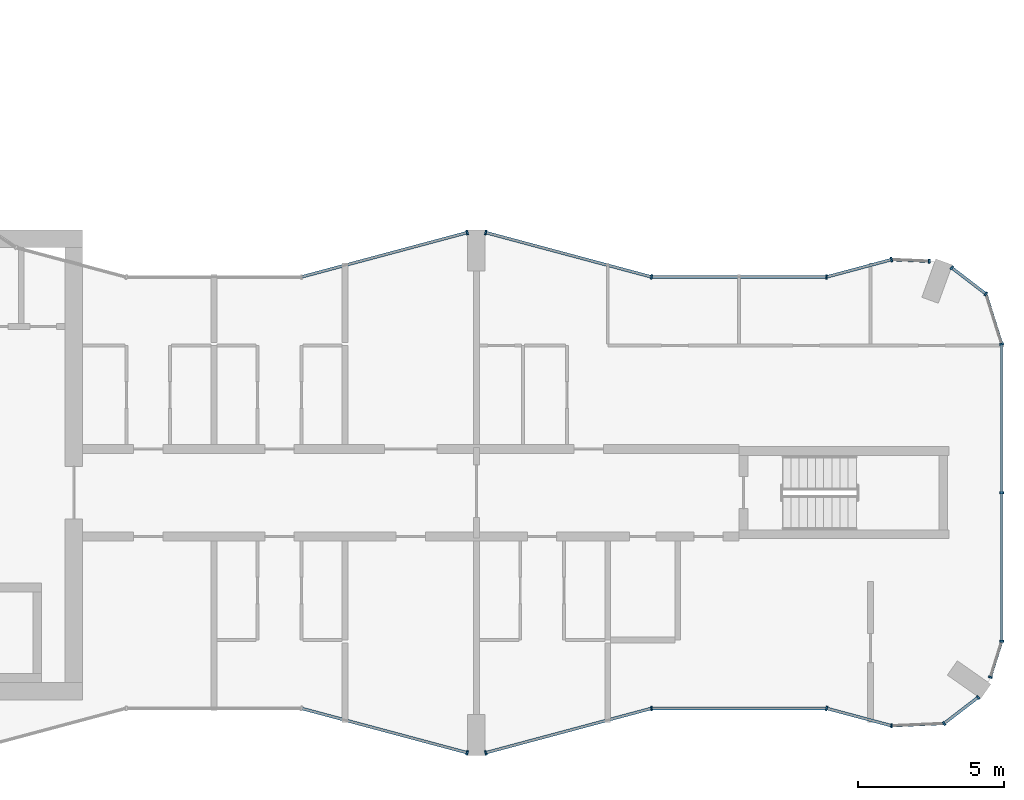
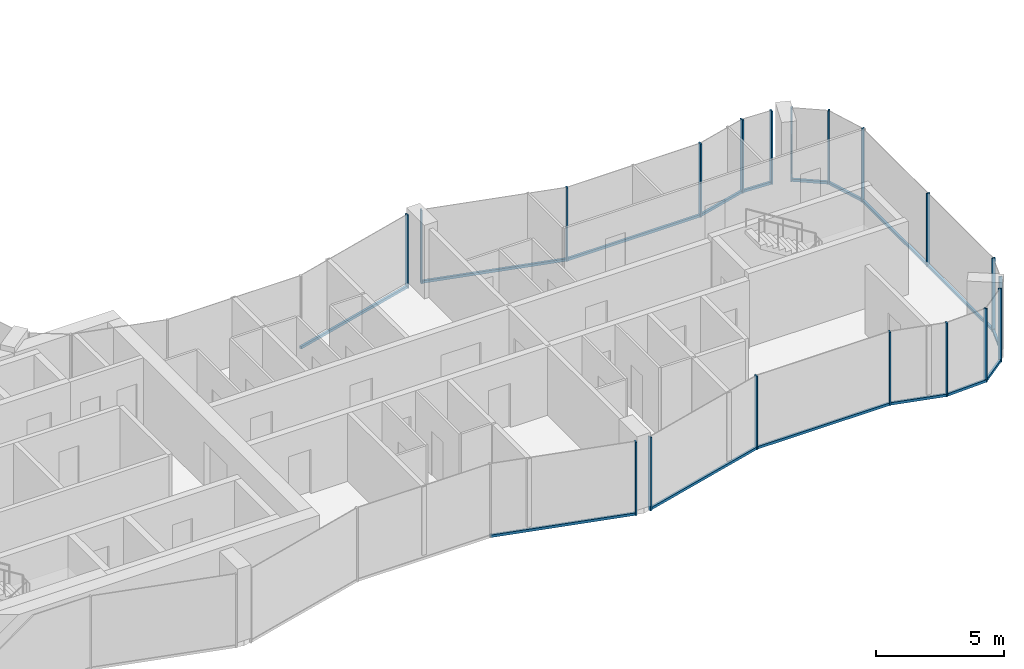
# One storey, part 6 of 16: 34 members, 15 elements without a shape of their own.
"""IFC4 building model written with IfcOpenShell, lengths in metres."""

from ifc_helpers import new_model, si_unit, direction, frame, origin, origin_2d, place, context, subcontext, project, spatial, rectangle, extrude, material, layer, layer_set, material_profile, profile_set, type_object, element, aggregate, save


model = new_model("IFC4")

# Units and contexts
model_context = context("Model", 3, precision=1e-05, world=origin(), true_north=direction((0.0, 1.0)))
body_context = subcontext(model_context, "Body", "Model", "MODEL_VIEW")
ifc_project = project(units=[si_unit("LENGTHUNIT", "METRE"), si_unit("AREAUNIT", "SQUARE_METRE"), si_unit("VOLUMEUNIT", "CUBIC_METRE"), si_unit("PLANEANGLEUNIT", "RADIAN"), si_unit("MASSUNIT", "GRAM", prefix="KILO")], contexts=[model_context])

# Site, building, storey
site_placement = place(None, origin())
site = spatial("IfcSite", under=ifc_project, at=site_placement, CompositionType="ELEMENT")
building_placement = place(site_placement, origin())
building = spatial("IfcBuilding", under=site, at=building_placement, Name="Plateau Cross Towers", CompositionType="ELEMENT")
storey_placement = place(building_placement, frame((0.0, 0.0, 160.39990234375)))
storey = spatial("IfcBuildingStorey", under=building, at=storey_placement, Name="L41", CompositionType="ELEMENT", Elevation=160.39990234375)

# Curtain wall, member
ifc_material_1 = material(Name="Dark low-iron glass", Category="glass")
ifc_layer_1 = layer(ifc_material_1, 0.239990234375)
ifc_layer_set_1 = layer_set([ifc_layer_1], Name="Dark low-iron glass")
curtain_wall_type_1 = type_object("IfcCurtainWallType", Name="Curtain wall flush unitised CW-B", PredefinedType="NOTDEFINED", material=ifc_layer_set_1)
curtain_wall_1_placement = place(storey_placement, origin())
curtain_wall_1 = element("IfcCurtainWall", 1, at=curtain_wall_1_placement, inside=storey, type_object=curtain_wall_type_1, Name="ENV/A/L41/A502_10", PredefinedType="NOTDEFINED")
ifc_material_2 = material(Name="Black anodised aluminium", Category="aluminium")
ifc_material_profile_1 = material_profile(ifc_material_2, rectangle(XDim=0.06005859375, YDim=0.139892578125, at=origin_2d()), Name="MULLION 60x140")
ifc_profile_set_1 = profile_set([ifc_material_profile_1], Name="Black anodised aluminium")
member_type_1 = type_object("IfcMemberType", Name="Mullion 60x140 flush unitised", PredefinedType="MULLION", material=ifc_profile_set_1)
member_1_placement = place(storey_placement, frame((50.223876953125, 1.01123046875, -0.25), z_axis=(0.0, 0.0, 1.0), x_axis=(0.999043701491, 0.043722791671, 0.0)))
member_1 = element("IfcMember", 2, at=member_1_placement, type_object=member_type_1, Name="CW-B mullion 1", PredefinedType="MULLION", context=body_context, shape_type="SweptSolid", body=[
    extrude(rectangle(XDim=0.06005859375, YDim=0.139892578125, at=origin_2d()), origin(), (0.0, 0.0, 1.0), 3.5),
])

# Curtain wall, members
curtain_wall_2_placement = place(storey_placement, origin())
curtain_wall_2 = element("IfcCurtainWall", 3, at=curtain_wall_2_placement, inside=storey, type_object=curtain_wall_type_1, Name="ENV/A/L41/A520_11", PredefinedType="NOTDEFINED")
member_2_placement = place(storey_placement, frame((52.0263671875, 1.090087890625, -0.25), z_axis=(0.0, 0.0, 1.0), x_axis=(0.793315514529, 0.608810721331, 0.0)))
member_2 = element("IfcMember", 4, at=member_2_placement, type_object=member_type_1, Name="CW-B mullion 1", PredefinedType="MULLION", context=body_context, shape_type="SweptSolid", body=[
    extrude(rectangle(XDim=0.06005859375, YDim=0.139892578125, at=origin_2d()), origin(), (0.0, 0.0, 1.0), 3.5),
])
member_3_placement = place(storey_placement, frame((53.193603515625, 1.986083984375, -0.25), z_axis=(0.0, 0.0, 1.0), x_axis=(0.793315514529, 0.608810721331, 0.0)))
member_3 = element("IfcMember", 5, at=member_3_placement, type_object=member_type_1, Name="CW-B mullion 2", PredefinedType="MULLION", context=body_context, shape_type="SweptSolid", body=[
    extrude(rectangle(XDim=0.06005859375, YDim=0.139892578125, at=origin_2d()), origin(), (0.0, 0.0, 1.0), 3.5),
])

# Curtain wall, member
curtain_wall_3_placement = place(storey_placement, origin())
curtain_wall_3 = element("IfcCurtainWall", 6, at=curtain_wall_3_placement, inside=storey, type_object=curtain_wall_type_1, Name="ENV/A/L41/A536_27", PredefinedType="NOTDEFINED")
member_4_placement = place(storey_placement, frame((53.611083984375, 2.67529296875, -0.25), z_axis=(0.0, 0.0, 1.0), x_axis=(0.300686174994, 0.95372313811, 0.0)))
member_4 = element("IfcMember", 7, at=member_4_placement, type_object=member_type_1, Name="CW-B mullion 1", PredefinedType="MULLION", context=body_context, shape_type="SweptSolid", body=[
    extrude(rectangle(XDim=0.06005859375, YDim=0.139892578125, at=origin_2d()), origin(), (0.0, 0.0, 1.0), 3.5),
])

# Curtain wall, members
curtain_wall_4_placement = place(storey_placement, origin())
curtain_wall_4 = element("IfcCurtainWall", 8, at=curtain_wall_4_placement, inside=storey, type_object=curtain_wall_type_1, Name="ENV/A/L41/A540_39", PredefinedType="NOTDEFINED")
member_5_placement = place(storey_placement, frame((54.0, 3.9091796875, -0.25), z_axis=(0.0, 0.0, 1.0), x_axis=(0.0, 1.0, 0.0)))
member_5 = element("IfcMember", 9, at=member_5_placement, type_object=member_type_1, Name="CW-B mullion 1", PredefinedType="MULLION", context=body_context, shape_type="SweptSolid", body=[
    extrude(rectangle(XDim=0.06005859375, YDim=0.139892578125, at=origin_2d()), origin(), (0.0, 0.0, 1.0), 3.5),
])
member_6_placement = place(storey_placement, frame((54.0, 9.0, -0.25), z_axis=(0.0, 0.0, 1.0), x_axis=(0.0, 1.0, 0.0)))
member_6 = element("IfcMember", 10, at=member_6_placement, type_object=member_type_1, Name="CW-B mullion 2", PredefinedType="MULLION", context=body_context, shape_type="SweptSolid", body=[
    extrude(rectangle(XDim=0.06005859375, YDim=0.139892578125, at=origin_2d()), origin(), (0.0, 0.0, 1.0), 3.5),
])

# Curtain wall, member
curtain_wall_5_placement = place(storey_placement, origin())
curtain_wall_5 = element("IfcCurtainWall", 11, at=curtain_wall_5_placement, inside=storey, type_object=curtain_wall_type_1, Name="ENV/A/L41/A540_141", PredefinedType="NOTDEFINED")
member_7_placement = place(storey_placement, frame((54.0, 14.0908203125, -0.25), z_axis=(0.0, 0.0, 1.0), x_axis=(-0.300686174994, 0.95372313811, 0.0)))
member_7 = element("IfcMember", 12, at=member_7_placement, type_object=member_type_1, Name="CW-B mullion 1", PredefinedType="MULLION", context=body_context, shape_type="SweptSolid", body=[
    extrude(rectangle(XDim=0.06005859375, YDim=0.139892578125, at=origin_2d()), origin(), (0.0, 0.0, 1.0), 3.5),
])

# Curtain wall, members
curtain_wall_6_placement = place(storey_placement, origin())
curtain_wall_6 = element("IfcCurtainWall", 13, at=curtain_wall_6_placement, inside=storey, type_object=curtain_wall_type_1, Name="ENV/A/L41/A535_158", PredefinedType="NOTDEFINED")
member_8_placement = place(storey_placement, frame((53.45751953125, 15.8115234375, -0.25), z_axis=(0.0, 0.0, 1.0), x_axis=(-0.793315514529, 0.608810721331, 0.0)))
member_8 = element("IfcMember", 14, at=member_8_placement, type_object=member_type_1, Name="CW-B mullion 1", PredefinedType="MULLION", context=body_context, shape_type="SweptSolid", body=[
    extrude(rectangle(XDim=0.06005859375, YDim=0.139892578125, at=origin_2d()), origin(), (0.0, 0.0, 1.0), 3.5),
])
member_9_placement = place(storey_placement, frame((52.290283203125, 16.707275390625, -0.25), z_axis=(0.0, 0.0, 1.0), x_axis=(-0.793315514529, 0.608810721331, 0.0)))
member_9 = element("IfcMember", 15, at=member_9_placement, type_object=member_type_1, Name="CW-B mullion 2", PredefinedType="MULLION", context=body_context, shape_type="SweptSolid", body=[
    extrude(rectangle(XDim=0.06005859375, YDim=0.139892578125, at=origin_2d()), origin(), (0.0, 0.0, 1.0), 3.5),
])

# Curtain wall, member
curtain_wall_7_placement = place(storey_placement, origin())
curtain_wall_7 = element("IfcCurtainWall", 16, at=curtain_wall_7_placement, inside=storey, type_object=curtain_wall_type_1, Name="ENV/A/L41/A515_169", PredefinedType="NOTDEFINED")
member_10_placement = place(storey_placement, frame((51.516357421875, 16.93212890625, -0.25), z_axis=(0.0, 0.0, 1.0), x_axis=(-0.999043701491, 0.043722791671, 0.0)))
member_10 = element("IfcMember", 17, at=member_10_placement, type_object=member_type_1, Name="CW-B mullion 1", PredefinedType="MULLION", context=body_context, shape_type="SweptSolid", body=[
    extrude(rectangle(XDim=0.06005859375, YDim=0.139892578125, at=origin_2d()), origin(), (0.0, 0.0, 1.0), 3.5),
])

ifc_layer_2 = layer(ifc_material_1, 0.260009765625)
ifc_layer_set_2 = layer_set([ifc_layer_2], Name="Dark low-iron glass")
curtain_wall_type_2 = type_object("IfcCurtainWallType", Name="Curtain wall fluted unitised CW-A", PredefinedType="NOTDEFINED", material=ifc_layer_set_2)
curtain_wall_8_placement = place(storey_placement, origin())
curtain_wall_8 = element("IfcCurtainWall", 18, at=curtain_wall_8_placement, inside=storey, type_object=curtain_wall_type_2, Name="ENV/A/L41/A300_16", PredefinedType="NOTDEFINED")
ifc_material_profile_2 = material_profile(ifc_material_2, rectangle(XDim=0.06005859375, YDim=0.159912109375, at=origin_2d()), Name="MULLION 60x160")
ifc_profile_set_2 = profile_set([ifc_material_profile_2], Name="Black anodised aluminium")
member_type_2 = type_object("IfcMemberType", Name="Mullion 60x160 fluted unitised", PredefinedType="MULLION", material=ifc_profile_set_2)
member_11_placement = place(storey_placement, frame((35.68212890625, 0.085205078125, -0.25), z_axis=(0.0, 0.0, 1.0), x_axis=(0.965957983404, -0.258699003279, 0.0)))
member_11 = element("IfcMember", 19, at=member_11_placement, type_object=member_type_2, Name="CW-A mullion 2", PredefinedType="MULLION", context=body_context, shape_type="SweptSolid", body=[
    extrude(rectangle(XDim=0.06005859375, YDim=0.159912109375, at=origin_2d()), origin(), (0.0, 0.0, 1.0), 3.5),
])

curtain_wall_9_placement = place(storey_placement, origin())
curtain_wall_9 = element("IfcCurtainWall", 20, at=curtain_wall_9_placement, inside=storey, type_object=curtain_wall_type_2, Name="ENV/A/L41/A363_1", PredefinedType="NOTDEFINED")
member_12_placement = place(storey_placement, frame((36.31787109375, 0.085205078125, -0.25), z_axis=(0.0, 0.0, 1.0), x_axis=(0.965957983404, 0.258699003279, 0.0)))
member_12 = element("IfcMember", 21, at=member_12_placement, type_object=member_type_2, Name="CW-A mullion 1", PredefinedType="MULLION", context=body_context, shape_type="SweptSolid", body=[
    extrude(rectangle(XDim=0.06005859375, YDim=0.159912109375, at=origin_2d()), origin(), (0.0, 0.0, 1.0), 3.5),
])

curtain_wall_10_placement = place(storey_placement, origin())
curtain_wall_10 = element("IfcCurtainWall", 22, at=curtain_wall_10_placement, inside=storey, type_object=curtain_wall_type_2, Name="ENV/A/L41/A420_16", PredefinedType="NOTDEFINED")
member_13_placement = place(storey_placement, frame((42.0, 1.60693359375, -0.25), z_axis=(0.0, 0.0, 1.0), x_axis=(1.0, 0.0, 0.0)))
member_13 = element("IfcMember", 23, at=member_13_placement, type_object=member_type_2, Name="CW-A mullion 1", PredefinedType="MULLION", context=body_context, shape_type="SweptSolid", body=[
    extrude(rectangle(XDim=0.06005859375, YDim=0.159912109375, at=origin_2d()), origin(), (0.0, 0.0, 1.0), 3.5),
])

curtain_wall_11_placement = place(storey_placement, origin())
curtain_wall_11 = element("IfcCurtainWall", 24, at=curtain_wall_11_placement, inside=storey, type_object=curtain_wall_type_2, Name="ENV/A/L41/A480_16", PredefinedType="NOTDEFINED")
member_14_placement = place(storey_placement, frame((48.0, 1.60693359375, -0.25), z_axis=(0.0, 0.0, 1.0), x_axis=(0.965957962328, -0.258699081978, 0.0)))
member_14 = element("IfcMember", 25, at=member_14_placement, type_object=member_type_2, Name="CW-A mullion 1", PredefinedType="MULLION", context=body_context, shape_type="SweptSolid", body=[
    extrude(rectangle(XDim=0.06005859375, YDim=0.159912109375, at=origin_2d()), origin(), (0.0, 0.0, 1.0), 3.5),
])

curtain_wall_12_placement = place(storey_placement, origin())
curtain_wall_12 = element("IfcCurtainWall", 26, at=curtain_wall_12_placement, inside=storey, type_object=curtain_wall_type_2, Name="ENV/A/L41/A502_170", PredefinedType="NOTDEFINED")
member_15_placement = place(storey_placement, frame((50.223876953125, 16.98876953125, -0.25), z_axis=(0.0, 0.0, 1.0), x_axis=(-0.965957962328, -0.258699081978, 0.0)))
member_15 = element("IfcMember", 27, at=member_15_placement, type_object=member_type_2, Name="CW-A mullion 1", PredefinedType="MULLION", context=body_context, shape_type="SweptSolid", body=[
    extrude(rectangle(XDim=0.06005859375, YDim=0.159912109375, at=origin_2d()), origin(), (0.0, 0.0, 1.0), 3.5),
])

curtain_wall_13_placement = place(storey_placement, origin())
curtain_wall_13 = element("IfcCurtainWall", 28, at=curtain_wall_13_placement, inside=storey, type_object=curtain_wall_type_2, Name="ENV/A/L41/A480_164", PredefinedType="NOTDEFINED")
member_16_placement = place(storey_placement, frame((48.0, 16.39306640625, -0.25), z_axis=(0.0, 0.0, 1.0), x_axis=(-1.0, 0.0, 0.0)))
member_16 = element("IfcMember", 29, at=member_16_placement, type_object=member_type_2, Name="CW-A mullion 1", PredefinedType="MULLION", context=body_context, shape_type="SweptSolid", body=[
    extrude(rectangle(XDim=0.06005859375, YDim=0.159912109375, at=origin_2d()), origin(), (0.0, 0.0, 1.0), 3.5),
])

# Curtain wall, members
curtain_wall_14_placement = place(storey_placement, origin())
curtain_wall_14 = element("IfcCurtainWall", 30, at=curtain_wall_14_placement, inside=storey, type_object=curtain_wall_type_2, Name="ENV/A/L41/A420_164", PredefinedType="NOTDEFINED")
member_17_placement = place(storey_placement, frame((42.0, 16.39306640625, -0.25), z_axis=(0.0, 0.0, 1.0), x_axis=(-0.965957983404, 0.258699003279, 0.0)))
member_17 = element("IfcMember", 31, at=member_17_placement, type_object=member_type_2, Name="CW-A mullion 1", PredefinedType="MULLION", context=body_context, shape_type="SweptSolid", body=[
    extrude(rectangle(XDim=0.06005859375, YDim=0.159912109375, at=origin_2d()), origin(), (0.0, 0.0, 1.0), 3.5),
])
member_18_placement = place(storey_placement, frame((36.31787109375, 17.914794921875, -0.25), z_axis=(0.0, 0.0, 1.0), x_axis=(-0.965957983404, 0.258699003279, 0.0)))
member_18 = element("IfcMember", 32, at=member_18_placement, type_object=member_type_2, Name="CW-A mullion 2", PredefinedType="MULLION", context=body_context, shape_type="SweptSolid", body=[
    extrude(rectangle(XDim=0.06005859375, YDim=0.159912109375, at=origin_2d()), origin(), (0.0, 0.0, 1.0), 3.5),
])

# Curtain wall, member
curtain_wall_15_placement = place(storey_placement, origin())
curtain_wall_15 = element("IfcCurtainWall", 33, at=curtain_wall_15_placement, inside=storey, type_object=curtain_wall_type_2, Name="ENV/A/L41/A357_179", PredefinedType="NOTDEFINED")
member_19_placement = place(storey_placement, frame((35.68212890625, 17.914794921875, -0.25), z_axis=(0.0, 0.0, 1.0), x_axis=(-0.965957983404, -0.258699003279, 0.0)))
member_19 = element("IfcMember", 34, at=member_19_placement, type_object=member_type_2, Name="CW-A mullion 1", PredefinedType="MULLION", context=body_context, shape_type="SweptSolid", body=[
    extrude(rectangle(XDim=0.06005859375, YDim=0.159912109375, at=origin_2d()), origin(), (0.0, 0.0, 1.0), 3.5),
])

# Member
ifc_material_profile_3 = material_profile(ifc_material_2, rectangle(XDim=0.10009765625, YDim=0.1201171875, at=origin_2d()), Name="TRANSOM 100x120")
ifc_profile_set_3 = profile_set([ifc_material_profile_3], Name="Black anodised aluminium")
member_type_3 = type_object("IfcMemberType", Name="Transom 100x120 flush unitised", PredefinedType="USERDEFINED", material=ifc_profile_set_3)
member_20_placement = place(storey_placement, frame((50.223876953125, 1.01123046875, -0.18994140625), z_axis=(0.999044377355, 0.043707345779, 0.0), x_axis=(-0.043707345779, 0.999044377355, 0.0)))
member_20 = element("IfcMember", 35, at=member_20_placement, type_object=member_type_3, Name="CW-B transom", ObjectType="TRANSOM", PredefinedType="USERDEFINED", context=body_context, shape_type="SweptSolid", body=[
    extrude(rectangle(XDim=0.10009765625, YDim=0.1201171875, at=origin_2d()), origin(), (0.0, 0.0, 1.0), 1.80419921875),
])

aggregate(curtain_wall_1, [member_1, member_20])

member_21_placement = place(storey_placement, frame((52.0263671875, 1.090087890625, -0.18994140625), z_axis=(0.793240368515, 0.608908628415, 0.0), x_axis=(-0.608908628415, 0.793240368515, 0.0)))
member_21 = element("IfcMember", 36, at=member_21_placement, type_object=member_type_3, Name="CW-B transom", ObjectType="TRANSOM", PredefinedType="USERDEFINED", context=body_context, shape_type="SweptSolid", body=[
    extrude(rectangle(XDim=0.10009765625, YDim=0.1201171875, at=origin_2d()), origin(), (0.0, 0.0, 1.0), 1.471435546875),
])

aggregate(curtain_wall_2, [member_2, member_3, member_21])

member_22_placement = place(storey_placement, frame((53.611083984375, 2.67529296875, -0.18994140625), z_axis=(0.300616528216, 0.953745093284, 0.0), x_axis=(-0.953745093284, 0.300616528216, 0.0)))
member_22 = element("IfcMember", 37, at=member_22_placement, type_object=member_type_3, Name="CW-B transom", ObjectType="TRANSOM", PredefinedType="USERDEFINED", context=body_context, shape_type="SweptSolid", body=[
    extrude(rectangle(XDim=0.10009765625, YDim=0.1201171875, at=origin_2d()), origin(), (0.0, 0.0, 1.0), 1.293701171875),
])

aggregate(curtain_wall_3, [member_4, member_22])

member_23_placement = place(storey_placement, frame((54.0, 3.9091796875, -0.18994140625), z_axis=(0.0, 1.0, 0.0), x_axis=(-1.0, 0.0, 0.0)))
member_23 = element("IfcMember", 38, at=member_23_placement, type_object=member_type_3, Name="CW-B transom", ObjectType="TRANSOM", PredefinedType="USERDEFINED", context=body_context, shape_type="SweptSolid", body=[
    extrude(rectangle(XDim=0.10009765625, YDim=0.1201171875, at=origin_2d()), origin(), (0.0, 0.0, 1.0), 10.181640625),
])

aggregate(curtain_wall_4, [member_5, member_6, member_23])

member_24_placement = place(storey_placement, frame((54.0, 14.0908203125, -0.18994140625), z_axis=(-0.30067799945, 0.953725715626, 0.0), x_axis=(-0.953725715626, -0.30067799945, 0.0)))
member_24 = element("IfcMember", 39, at=member_24_placement, type_object=member_type_3, Name="CW-B transom", ObjectType="TRANSOM", PredefinedType="USERDEFINED", context=body_context, shape_type="SweptSolid", body=[
    extrude(rectangle(XDim=0.10009765625, YDim=0.1201171875, at=origin_2d()), origin(), (0.0, 0.0, 1.0), 1.80419921875),
])

aggregate(curtain_wall_5, [member_7, member_24])

member_25_placement = place(storey_placement, frame((53.45751953125, 15.8115234375, -0.18994140625), z_axis=(-0.793320508571, 0.608804213751, 0.0), x_axis=(-0.608804213751, -0.793320508571, 0.0)))
member_25 = element("IfcMember", 40, at=member_25_placement, type_object=member_type_3, Name="CW-B transom", ObjectType="TRANSOM", PredefinedType="USERDEFINED", context=body_context, shape_type="SweptSolid", body=[
    extrude(rectangle(XDim=0.10009765625, YDim=0.1201171875, at=origin_2d()), origin(), (0.0, 0.0, 1.0), 1.471435546875),
])

aggregate(curtain_wall_6, [member_8, member_9, member_25])

member_26_placement = place(storey_placement, frame((51.516357421875, 16.93212890625, -0.18994140625), z_axis=(-0.999041144614, 0.043781175963, 0.0), x_axis=(-0.043781175963, -0.999041144614, 0.0)))
member_26 = element("IfcMember", 41, at=member_26_placement, type_object=member_type_3, Name="CW-B transom", ObjectType="TRANSOM", PredefinedType="USERDEFINED", context=body_context, shape_type="SweptSolid", body=[
    extrude(rectangle(XDim=0.10009765625, YDim=0.1201171875, at=origin_2d()), origin(), (0.0, 0.0, 1.0), 1.293701171875),
])

aggregate(curtain_wall_7, [member_10, member_26])

ifc_material_profile_4 = material_profile(ifc_material_2, rectangle(XDim=0.10009765625, YDim=0.1201171875, at=origin_2d()), Name="TRANSOM 100x120")
ifc_profile_set_4 = profile_set([ifc_material_profile_4], Name="Black anodised aluminium")
member_type_4 = type_object("IfcMemberType", Name="Transom 100x120 fluted unitised", PredefinedType="USERDEFINED", material=ifc_profile_set_4)
member_27_placement = place(storey_placement, frame((30.0, 1.60693359375, -0.18994140625), z_axis=(0.965959534794, -0.258693210465, 0.0), x_axis=(0.258693210465, 0.965959534794, 0.0)))
member_27 = element("IfcMember", 42, at=member_27_placement, type_object=member_type_4, Name="CW-A transom", ObjectType="TRANSOM", PredefinedType="USERDEFINED", context=body_context, shape_type="SweptSolid", body=[
    extrude(rectangle(XDim=0.10009765625, YDim=0.1201171875, at=origin_2d()), origin(), (0.0, 0.0, 1.0), 5.88232421875),
])

aggregate(curtain_wall_8, [member_11, member_27])

member_28_placement = place(storey_placement, frame((36.31787109375, 0.085205078125, -0.18994140625), z_axis=(0.965959534794, 0.258693210465, 0.0), x_axis=(-0.258693210465, 0.965959534794, 0.0)))
member_28 = element("IfcMember", 43, at=member_28_placement, type_object=member_type_4, Name="CW-A transom", ObjectType="TRANSOM", PredefinedType="USERDEFINED", context=body_context, shape_type="SweptSolid", body=[
    extrude(rectangle(XDim=0.10009765625, YDim=0.1201171875, at=origin_2d()), origin(), (0.0, 0.0, 1.0), 5.88232421875),
])

aggregate(curtain_wall_9, [member_12, member_28])

member_29_placement = place(storey_placement, frame((42.0, 1.60693359375, -0.18994140625), z_axis=(1.0, 0.0, 0.0), x_axis=(0.0, 1.0, 0.0)))
member_29 = element("IfcMember", 44, at=member_29_placement, type_object=member_type_4, Name="CW-A transom", ObjectType="TRANSOM", PredefinedType="USERDEFINED", context=body_context, shape_type="SweptSolid", body=[
    extrude(rectangle(XDim=0.10009765625, YDim=0.1201171875, at=origin_2d()), origin(), (0.0, 0.0, 1.0), 6.0),
])

aggregate(curtain_wall_10, [member_13, member_29])

member_30_placement = place(storey_placement, frame((48.0, 1.60693359375, -0.18994140625), z_axis=(0.965945685136, -0.258744919501, 0.0), x_axis=(0.258744919501, 0.965945685136, 0.0)))
member_30 = element("IfcMember", 45, at=member_30_placement, type_object=member_type_4, Name="CW-A transom", ObjectType="TRANSOM", PredefinedType="USERDEFINED", context=body_context, shape_type="SweptSolid", body=[
    extrude(rectangle(XDim=0.10009765625, YDim=0.1201171875, at=origin_2d()), origin(), (0.0, 0.0, 1.0), 2.30224609375),
])

aggregate(curtain_wall_11, [member_14, member_30])

member_31_placement = place(storey_placement, frame((50.223876953125, 16.98876953125, -0.18994140625), z_axis=(-0.965945685136, -0.258744919501, 0.0), x_axis=(0.258744919501, -0.965945685136, 0.0)))
member_31 = element("IfcMember", 46, at=member_31_placement, type_object=member_type_4, Name="CW-A transom", ObjectType="TRANSOM", PredefinedType="USERDEFINED", context=body_context, shape_type="SweptSolid", body=[
    extrude(rectangle(XDim=0.10009765625, YDim=0.1201171875, at=origin_2d()), origin(), (0.0, 0.0, 1.0), 2.30224609375),
])

aggregate(curtain_wall_12, [member_15, member_31])

member_32_placement = place(storey_placement, frame((48.0, 16.39306640625, -0.18994140625), z_axis=(-1.0, 0.0, 0.0), x_axis=(0.0, -1.0, 0.0)))
member_32 = element("IfcMember", 47, at=member_32_placement, type_object=member_type_4, Name="CW-A transom", ObjectType="TRANSOM", PredefinedType="USERDEFINED", context=body_context, shape_type="SweptSolid", body=[
    extrude(rectangle(XDim=0.10009765625, YDim=0.1201171875, at=origin_2d()), origin(), (0.0, 0.0, 1.0), 6.0),
])

aggregate(curtain_wall_13, [member_16, member_32])

member_33_placement = place(storey_placement, frame((42.0, 16.39306640625, -0.18994140625), z_axis=(-0.965959534794, 0.258693210465, 0.0), x_axis=(-0.258693210465, -0.965959534794, 0.0)))
member_33 = element("IfcMember", 48, at=member_33_placement, type_object=member_type_4, Name="CW-A transom", ObjectType="TRANSOM", PredefinedType="USERDEFINED", context=body_context, shape_type="SweptSolid", body=[
    extrude(rectangle(XDim=0.10009765625, YDim=0.1201171875, at=origin_2d()), origin(), (0.0, 0.0, 1.0), 5.88232421875),
])

aggregate(curtain_wall_14, [member_17, member_18, member_33])

member_34_placement = place(storey_placement, frame((35.68212890625, 17.914794921875, -0.18994140625), z_axis=(-0.965959534794, -0.258693210465, 0.0), x_axis=(0.258693210465, -0.965959534794, 0.0)))
member_34 = element("IfcMember", 49, at=member_34_placement, type_object=member_type_4, Name="CW-A transom", ObjectType="TRANSOM", PredefinedType="USERDEFINED", context=body_context, shape_type="SweptSolid", body=[
    extrude(rectangle(XDim=0.10009765625, YDim=0.1201171875, at=origin_2d()), origin(), (0.0, 0.0, 1.0), 5.88232421875),
])

aggregate(curtain_wall_15, [member_19, member_34])

save(model, "model.ifc")
